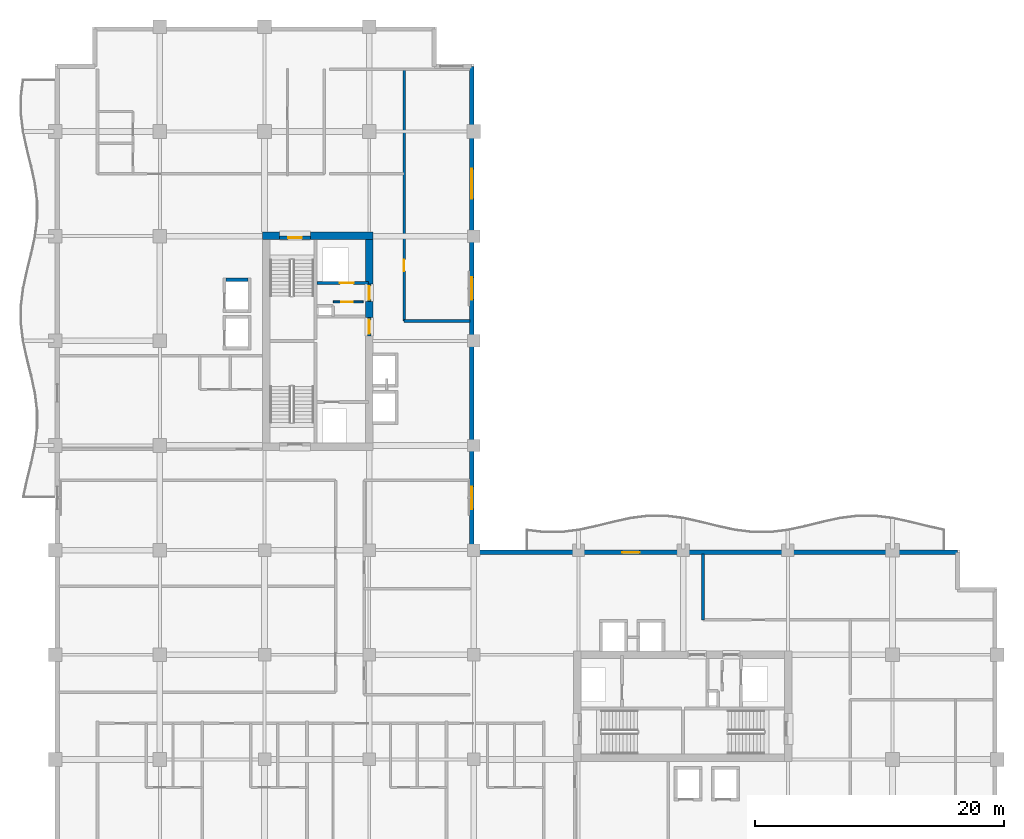
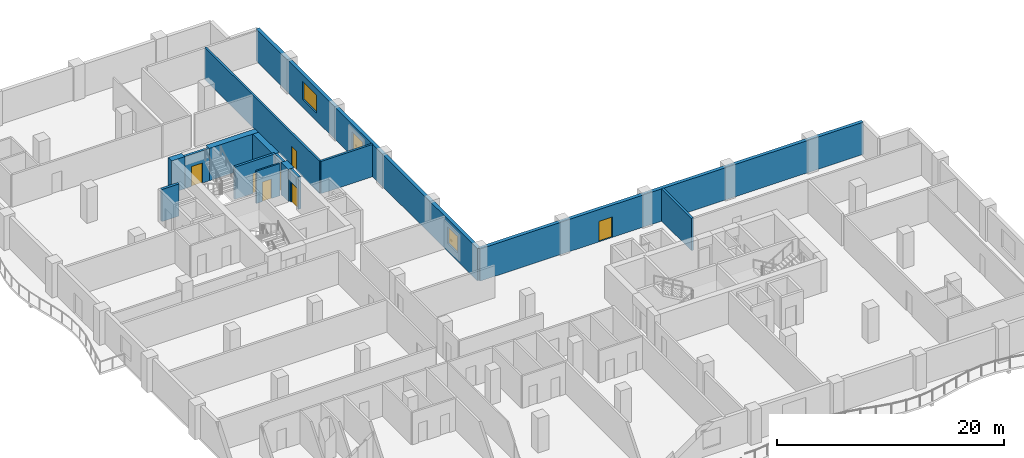
# One storey, part 7 of 14: 15 walls, 7 doors, 3 windows, 10 openings.
"""IFC4 building model written with IfcOpenShell, lengths in metres."""

from ifc_helpers import new_model, si_unit, direction, frame, frame_2d, origin, place, context, subcontext, project, spatial, rectangle, extrude, material, layer, layer_set, type_object, element, fill, save


model = new_model("IFC4")

# Units and contexts
model_context = context("Model", 3, precision=1e-05, world=origin(), true_north=direction((0.0, 1.0)))
body_context = subcontext(model_context, "Body", "Model", "MODEL_VIEW")
ifc_project = project(units=[si_unit("LENGTHUNIT", "METRE"), si_unit("AREAUNIT", "SQUARE_METRE"), si_unit("VOLUMEUNIT", "CUBIC_METRE"), si_unit("PLANEANGLEUNIT", "RADIAN"), si_unit("MASSUNIT", "GRAM", prefix="KILO")], contexts=[model_context])

# Site, building, storey
site_placement = place(None, origin())
site = spatial("IfcSite", under=ifc_project, at=site_placement, CompositionType="ELEMENT")
building_placement = place(site_placement, origin())
building = spatial("IfcBuilding", under=site, at=building_placement, Name="Koriwani Terraces Tower", CompositionType="ELEMENT")
storey_placement = place(building_placement, frame((0.0, 0.0, 208.699951171875)))
storey = spatial("IfcBuildingStorey", under=building, at=storey_placement, Name="L51", CompositionType="ELEMENT", Elevation=208.699951171875)

# Walls
ifc_material_1 = material(Name="Concrete C60/75", Category="concrete")
ifc_layer_1 = layer(ifc_material_1, 0.60009765625, Name="Concrete C60/75")
ifc_layer_set_1 = layer_set([ifc_layer_1], Name="Concrete C60/75")
wall_type_1 = type_object("IfcWallType", Name="WALL_CORE_RC_600", PredefinedType="SHEAR", material=ifc_layer_set_1)
wall_1_placement = place(storey_placement, frame((16.64990234375, 58.85009765625, 0.0), z_axis=(0.0, 0.0, 1.0), x_axis=(1.0, 0.0, 0.0)))
element("IfcWall", 1, at=wall_1_placement, inside=storey, type_object=wall_type_1, Name="L51 West Split Core Shear Wall N1", PredefinedType="SHEAR", context=body_context, shape_type="SweptSolid", body=[
    extrude(rectangle(XDim=1.35009765625, YDim=0.60009765625, at=frame_2d((0.675048828125, 0.0))), origin(), (0.0, 0.0, 1.0), 3.469970703125),
])
wall_2_placement = place(storey_placement, frame((20.5, 58.85009765625, 0.0), z_axis=(0.0, 0.0, 1.0), x_axis=(1.0, 0.0, 0.0)))
element("IfcWall", 2, at=wall_2_placement, inside=storey, type_object=wall_type_1, Name="L51 West Split Core Shear Wall N2", PredefinedType="SHEAR", context=body_context, shape_type="SweptSolid", body=[
    extrude(rectangle(XDim=5.0, YDim=0.60009765625, at=frame_2d((2.5, 0.0))), origin(), (0.0, 0.0, 1.0), 3.469970703125),
])
wall_3_placement = place(storey_placement, frame((25.199951171875, 52.280029296875, 0.0), z_axis=(0.0, 0.0, 1.0), x_axis=(0.0, 1.0, 0.0)))
element("IfcWall", 3, at=wall_3_placement, inside=storey, type_object=wall_type_1, Name="L51 West Split Core Shear Wall E2", PredefinedType="SHEAR", context=body_context, shape_type="SweptSolid", body=[
    extrude(rectangle(XDim=1.27001953125, YDim=0.60009765625, at=frame_2d((0.635009765625, 0.0))), origin(), (0.0, 0.0, 1.0), 3.469970703125),
])
wall_4_placement = place(storey_placement, frame((25.199951171875, 54.949951171875, 0.0), z_axis=(0.0, 0.0, 1.0), x_axis=(0.0, 1.0, 0.0)))
element("IfcWall", 4, at=wall_4_placement, inside=storey, type_object=wall_type_1, Name="L51 West Split Core Shear Wall E3", PredefinedType="SHEAR", context=body_context, shape_type="SweptSolid", body=[
    extrude(rectangle(XDim=3.60009765625, YDim=0.60009765625, at=frame_2d((1.800048828125, 0.0))), origin(), (0.0, 0.0, 1.0), 3.469970703125),
])

# Wall, opening, door
ifc_material_2 = material(Name="Autoclaved Cellular Concrete Blockwork", Category="masonry")
ifc_layer_2 = layer(ifc_material_2, 0.199951171875, Name="Autoclaved Cellular Concrete Blockwork")
ifc_layer_set_2 = layer_set([ifc_layer_2], Name="Autoclaved Cellular Concrete Blockwork")
wall_type_2 = type_object("IfcWallType", Name="WALL_CORRIDOR_200", PredefinedType="PARTITIONING", material=ifc_layer_set_2)
wall_5_placement = place(storey_placement, frame((28.0, 52.0, 0.0), z_axis=(0.0, 0.0, 1.0), x_axis=(0.0, 1.0, 0.0)))
wall_5 = element("IfcWall", 5, at=wall_5_placement, inside=storey, type_object=wall_type_2, Name="L51 Interior Wall WNWT2-W-L51", PredefinedType="PARTITIONING", context=body_context, shape_type="SweptSolid", body=[
    extrude(rectangle(XDim=20.199951171875, YDim=0.199951171875, at=frame_2d((10.10009765625, 0.0))), origin(), (0.0, 0.0, 1.0), 3.469970703125),
])
opening_1_placement = place(wall_5_placement, frame((4.0, 0.0, 0.0)))
opening_1 = element("IfcOpeningElement", 6, at=opening_1_placement, cuts=wall_5, Name="Opening D-06", PredefinedType="OPENING", context=body_context, shape_type="SweptSolid", body=[
    extrude(rectangle(XDim=0.919921875, YDim=2.10009765625, at=frame_2d((0.4599609375, 1.050048828125))), frame((0.0, 0.10986328125, 0.0), z_axis=(0.0, -1.0, 0.0), x_axis=(1.0, 0.0, 0.0)), (0.0, 0.0, 1.0), 0.219970703125),
])
ifc_material_3 = material(Name="Architectural Oak Fire Door", Category="wood")
door_type_1 = type_object("IfcDoorType", Name="DOOR_ROOM_INT_920X2100", OperationType="NOTDEFINED", PredefinedType="DOOR", material=ifc_material_3)
door_1_placement = place(opening_1_placement, origin())
door_1 = element("IfcDoor", 7, at=door_1_placement, inside=storey, type_object=door_type_1, Name="L51 North Court Lounge Door", OperationType="SINGLE_SWING_RIGHT", OverallHeight=2.10009765625, OverallWidth=0.919921875, PredefinedType="DOOR", context=body_context, shape_type="SweptSolid", body=[
    extrude(rectangle(XDim=0.919921875, YDim=2.10009765625, at=frame_2d((0.4599609375, 1.050048828125))), frame((0.0, 0.02490234375, 0.0), z_axis=(0.0, -1.0, 0.0), x_axis=(1.0, 0.0, 0.0)), (0.0, 0.0, 1.0), 0.050048828125),
])
fill(opening_1, door_1)

# Walls
ifc_layer_3 = layer(ifc_material_2, 0.219970703125, Name="Autoclaved Cellular Concrete Blockwork")
ifc_layer_set_3 = layer_set([ifc_layer_3], Name="Autoclaved Cellular Concrete Blockwork")
wall_type_3 = type_object("IfcWallType", Name="WALL_DEMISING_220", PredefinedType="PARTITIONING", material=ifc_layer_set_3)
for number, where, z_axis, x_axis, name in (
    (8, (28.0, 52.0, 0.0), (0.0, 0.0, 1.0), (1.0, 0.0, 0.0), "L51 Interior Wall WNWT2-S-L51"),
    (9, (52.0, 28.0, 0.0), (0.0, 0.0, 1.0), (0.0, 1.0, 0.0), "L51 Interior Wall WSET2-W-L51"),
):
    element("IfcWall", number, at=place(storey_placement, frame(where, z_axis=z_axis, x_axis=x_axis)), inside=storey, type_object=wall_type_3, Name=name, PredefinedType="PARTITIONING", context=body_context, shape_type="SweptSolid", body=[
        extrude(rectangle(XDim=5.300048828125, YDim=0.219970703125, at=frame_2d((2.64990234375, 0.0))), origin(), (0.0, 0.0, 1.0), 3.469970703125),
    ])

# Wall, openings, windows
ifc_material_4 = material(Name="Concrete C50/60", Category="concrete")
ifc_layer_4 = layer(ifc_material_4, 0.35009765625, Name="Concrete C50/60")
ifc_layer_set_4 = layer_set([ifc_layer_4], Name="Concrete C50/60")
wall_type_4 = type_object("IfcWallType", Name="WALL_EXT_BRUTALIST_350", PredefinedType="STANDARD", material=ifc_layer_set_4)
wall_6_placement = place(storey_placement, frame((33.425048828125, 72.425048828125, 0.0), z_axis=(0.0, 0.0, 1.0), x_axis=(0.0, -1.0, 0.0)))
wall_6 = element("IfcWall", 10, at=wall_6_placement, inside=storey, type_object=wall_type_4, Name="L51 Fair-Faced Brutalist Exterior Wall (NW_IN)", PredefinedType="STANDARD", context=body_context, shape_type="SweptSolid", body=[
    extrude(rectangle(XDim=39.0, YDim=0.35009765625, at=frame_2d((19.5, 0.0))), origin(), (0.0, 0.0, 1.0), 3.469970703125),
])
opening_2_placement = place(wall_6_placement, frame((33.72509765625, 0.0, 0.85009765625)))
opening_2 = element("IfcOpeningElement", 11, at=opening_2_placement, cuts=wall_6, Name="Opening W-04", PredefinedType="OPENING", context=body_context, shape_type="SweptSolid", body=[
    extrude(rectangle(XDim=1.800048828125, YDim=1.800048828125, at=frame_2d((0.89990234375, 0.89990234375))), frame((0.0, 0.18505859375, 0.0), z_axis=(0.0, -1.0, 0.0), x_axis=(1.0, 0.0, 0.0)), (0.0, 0.0, 1.0), 0.3701171875),
])
opening_3_placement = place(wall_6_placement, frame((16.925048828125, 0.0, 0.85009765625)))
opening_3 = element("IfcOpeningElement", 12, at=opening_3_placement, cuts=wall_6, Name="Opening W-04", PredefinedType="OPENING", context=body_context, shape_type="SweptSolid", body=[
    extrude(rectangle(XDim=1.800048828125, YDim=1.800048828125, at=frame_2d((0.89990234375, 0.89990234375))), frame((0.0, 0.18505859375, 0.0), z_axis=(0.0, -1.0, 0.0), x_axis=(1.0, 0.0, 0.0)), (0.0, 0.0, 1.0), 0.3701171875),
])
opening_4_placement = place(wall_6_placement, frame((8.22509765625, 0.0, 0.85009765625)))
opening_4 = element("IfcOpeningElement", 13, at=opening_4_placement, cuts=wall_6, Name="Opening W-03", PredefinedType="OPENING", context=body_context, shape_type="SweptSolid", body=[
    extrude(rectangle(XDim=2.39990234375, YDim=1.949951171875, at=frame_2d((1.199951171875, 0.97509765625))), frame((0.0, 0.18505859375, 0.0), z_axis=(0.0, -1.0, 0.0), x_axis=(1.0, 0.0, 0.0)), (0.0, 0.0, 1.0), 0.3701171875),
])
ifc_material_5 = material(Name="Tempered Laminated Low-E Glass", Category="glass")
window_type_1 = type_object("IfcWindowType", Name="WIN_RES_BED_1800X1800", PartitioningType="DOUBLE_PANEL_VERTICAL", PredefinedType="WINDOW", material=ifc_material_5)
window_1_placement = place(opening_2_placement, origin())
window_1 = element("IfcWindow", 14, at=window_1_placement, inside=storey, type_object=window_type_1, Name="L51 Exterior Window (NW_IN-2)", OverallHeight=1.800048828125, OverallWidth=1.800048828125, PartitioningType="SINGLE_PANEL", PredefinedType="WINDOW", context=body_context, shape_type="SweptSolid", body=[
    extrude(rectangle(XDim=1.800048828125, YDim=1.800048828125, at=frame_2d((0.89990234375, 0.89990234375))), frame((0.0, 0.030029296875, 0.0), z_axis=(0.0, -1.0, 0.0), x_axis=(1.0, 0.0, 0.0)), (0.0, 0.0, 1.0), 0.06005859375),
])
fill(opening_2, window_1)
window_2_placement = place(opening_3_placement, origin())
window_2 = element("IfcWindow", 15, at=window_2_placement, inside=storey, type_object=window_type_1, Name="L51 Exterior Window (NW_IN-8)", OverallHeight=1.800048828125, OverallWidth=1.800048828125, PartitioningType="SINGLE_PANEL", PredefinedType="WINDOW", context=body_context, shape_type="SweptSolid", body=[
    extrude(rectangle(XDim=1.800048828125, YDim=1.800048828125, at=frame_2d((0.89990234375, 0.89990234375))), frame((0.0, 0.030029296875, 0.0), z_axis=(0.0, -1.0, 0.0), x_axis=(1.0, 0.0, 0.0)), (0.0, 0.0, 1.0), 0.06005859375),
])
fill(opening_3, window_2)
window_type_2 = type_object("IfcWindowType", Name="WIN_RES_LIVING_2400X1950", PartitioningType="DOUBLE_PANEL_VERTICAL", PredefinedType="WINDOW", material=ifc_material_5)
window_3_placement = place(opening_4_placement, origin())
window_3 = element("IfcWindow", 16, at=window_3_placement, inside=storey, type_object=window_type_2, Name="L51 Exterior Window (NW_IN-11)", OverallHeight=1.949951171875, OverallWidth=2.39990234375, PartitioningType="SINGLE_PANEL", PredefinedType="WINDOW", context=body_context, shape_type="SweptSolid", body=[
    extrude(rectangle(XDim=2.39990234375, YDim=1.949951171875, at=frame_2d((1.199951171875, 0.97509765625))), frame((0.0, 0.030029296875, 0.0), z_axis=(0.0, -1.0, 0.0), x_axis=(1.0, 0.0, 0.0)), (0.0, 0.0, 1.0), 0.06005859375),
])
fill(opening_4, window_3)

# Wall, opening, door
wall_7_placement = place(storey_placement, frame((33.425048828125, 33.425048828125, 0.0), z_axis=(0.0, 0.0, 1.0), x_axis=(1.0, 0.0, 0.0)))
wall_7 = element("IfcWall", 17, at=wall_7_placement, inside=storey, type_object=wall_type_4, Name="L51 Fair-Faced Brutalist Exterior Wall (NE)", PredefinedType="STANDARD", context=body_context, shape_type="SweptSolid", body=[
    extrude(rectangle(XDim=39.0, YDim=0.35009765625, at=frame_2d((19.5, 0.0))), origin(), (0.0, 0.0, 1.0), 3.469970703125),
])
opening_5_placement = place(wall_7_placement, frame((12.074951171875, 0.0, 0.0)))
opening_5 = element("IfcOpeningElement", 18, at=opening_5_placement, cuts=wall_7, Name="Opening D-09", PredefinedType="OPENING", context=body_context, shape_type="SweptSolid", body=[
    extrude(rectangle(XDim=1.39990234375, YDim=2.199951171875, at=frame_2d((0.699951171875, 1.10009765625))), frame((0.0, 0.18505859375, 0.0), z_axis=(0.0, -1.0, 0.0), x_axis=(1.0, 0.0, 0.0)), (0.0, 0.0, 1.0), 0.3701171875),
])
ifc_material_6 = material(Name="Anodised Bronze Aluminium", Category="aluminium")
door_type_2 = type_object("IfcDoorType", Name="DOOR_BALCONY_GLAZED_1400X2200", OperationType="NOTDEFINED", PredefinedType="DOOR", material=ifc_material_6)
door_2_placement = place(opening_5_placement, origin())
door_2 = element("IfcDoor", 19, at=door_2_placement, inside=storey, type_object=door_type_2, Name="L51 Inner Court Balcony Glazed Door", OperationType="SINGLE_SWING_LEFT", OverallHeight=2.199951171875, OverallWidth=1.39990234375, PredefinedType="DOOR", context=body_context, shape_type="SweptSolid", body=[
    extrude(rectangle(XDim=1.39990234375, YDim=2.199951171875, at=frame_2d((0.699951171875, 1.10009765625))), frame((0.0, 0.02490234375, 0.0), z_axis=(0.0, -1.0, 0.0), x_axis=(1.0, 0.0, 0.0)), (0.0, 0.0, 1.0), 0.050048828125),
])
fill(opening_5, door_2)

ifc_material_7 = material(Name="Concrete C40/50", Category="concrete")
ifc_layer_5 = layer(ifc_material_7, 0.25, Name="Concrete C40/50")
ifc_layer_set_5 = layer_set([ifc_layer_5], Name="Concrete C40/50")
wall_type_5 = type_object("IfcWallType", Name="WALL_SHAFT_RATED_250", PredefinedType="SOLIDWALL", material=ifc_layer_set_5)
wall_8_placement = place(storey_placement, frame((18.0, 58.675048828125, 0.0), z_axis=(0.0, 0.0, 1.0), x_axis=(1.0, 0.0, 0.0)))
wall_8 = element("IfcWall", 20, at=wall_8_placement, inside=storey, type_object=wall_type_5, Name="L51 Interior Wall WIN-CW-L51-STN", PredefinedType="SOLIDWALL", context=body_context, shape_type="SweptSolid", body=[
    extrude(rectangle(XDim=2.5, YDim=0.25, at=frame_2d((1.25, 0.0))), origin(), (0.0, 0.0, 1.0), 3.469970703125),
])
opening_6_placement = place(wall_8_placement, frame((0.699951171875, 0.0, 0.0)))
opening_6 = element("IfcOpeningElement", 21, at=opening_6_placement, cuts=wall_8, Name="Opening D-03", PredefinedType="OPENING", context=body_context, shape_type="SweptSolid", body=[
    extrude(rectangle(XDim=1.10009765625, YDim=2.14990234375, at=frame_2d((0.550048828125, 1.074951171875))), frame((0.0, 0.135009765625, 0.0), z_axis=(0.0, -1.0, 0.0), x_axis=(1.0, 0.0, 0.0)), (0.0, 0.0, 1.0), 0.27001953125),
])
ifc_material_8 = material(Name="Steel ASTM A572 Grade 50", Category="steel")
door_type_3 = type_object("IfcDoorType", Name="DOOR_STAIR_FIRE_1100X2150", OperationType="NOTDEFINED", PredefinedType="DOOR", material=ifc_material_8)
door_3_placement = place(opening_6_placement, origin())
door_3 = element("IfcDoor", 22, at=door_3_placement, inside=storey, type_object=door_type_3, Name="L51 Exit Stair ST-W2 Door", OperationType="SINGLE_SWING_RIGHT", OverallHeight=2.14990234375, OverallWidth=1.10009765625, PredefinedType="DOOR", context=body_context, shape_type="SweptSolid", body=[
    extrude(rectangle(XDim=1.10009765625, YDim=2.14990234375, at=frame_2d((0.550048828125, 1.074951171875))), frame((0.0, 0.02490234375, 0.0), z_axis=(0.0, -1.0, 0.0), x_axis=(1.0, 0.0, 0.0)), (0.0, 0.0, 1.0), 0.050048828125),
])
fill(opening_6, door_3)

wall_9_placement = place(storey_placement, frame((25.199951171875, 50.800048828125, 0.0), z_axis=(0.0, 0.0, 1.0), x_axis=(0.0, 1.0, 0.0)))
wall_9 = element("IfcWall", 23, at=wall_9_placement, inside=storey, type_object=wall_type_5, Name="L51 Interior Wall WIN-CW-L51-EP", PredefinedType="SOLIDWALL", context=body_context, shape_type="SweptSolid", body=[
    extrude(rectangle(XDim=1.47998046875, YDim=0.25, at=frame_2d((0.739990234375, 0.0))), origin(), (0.0, 0.0, 1.0), 3.469970703125),
])
opening_7_placement = place(wall_9_placement, frame((0.179931640625, 0.0, 0.0)))
opening_7 = element("IfcOpeningElement", 24, at=opening_7_placement, cuts=wall_9, Name="Opening D-03", PredefinedType="OPENING", context=body_context, shape_type="SweptSolid", body=[
    extrude(rectangle(XDim=1.10009765625, YDim=2.14990234375, at=frame_2d((0.550048828125, 1.074951171875))), frame((0.0, 0.135009765625, 0.0), z_axis=(0.0, -1.0, 0.0), x_axis=(1.0, 0.0, 0.0)), (0.0, 0.0, 1.0), 0.27001953125),
])
door_4_placement = place(opening_7_placement, origin())
door_4 = element("IfcDoor", 25, at=door_4_placement, inside=storey, type_object=door_type_3, Name="L51 West Firefighting Lobby Door", OperationType="SINGLE_SWING_LEFT", OverallHeight=2.14990234375, OverallWidth=1.10009765625, PredefinedType="DOOR", context=body_context, shape_type="SweptSolid", body=[
    extrude(rectangle(XDim=1.10009765625, YDim=2.14990234375, at=frame_2d((0.550048828125, 1.074951171875))), frame((0.0, 0.02490234375, 0.0), z_axis=(0.0, -1.0, 0.0), x_axis=(1.0, 0.0, 0.0)), (0.0, 0.0, 1.0), 0.050048828125),
])
fill(opening_7, door_4)

wall_10_placement = place(storey_placement, frame((21.0, 55.050048828125, 0.0), z_axis=(0.0, 0.0, 1.0), x_axis=(1.0, 0.0, 0.0)))
wall_10 = element("IfcWall", 26, at=wall_10_placement, inside=storey, type_object=wall_type_5, Name="L51 Interior Wall WIN-CW-L51-SE", PredefinedType="SOLIDWALL", context=body_context, shape_type="SweptSolid", body=[
    extrude(rectangle(XDim=4.14990234375, YDim=0.25, at=frame_2d((2.074951171875, 0.0))), origin(), (0.0, 0.0, 1.0), 3.469970703125),
])
opening_8_placement = place(wall_10_placement, frame((1.85009765625, 0.0, 0.0)))
opening_8 = element("IfcOpeningElement", 27, at=opening_8_placement, cuts=wall_10, Name="Opening LD-01", PredefinedType="OPENING", context=body_context, shape_type="SweptSolid", body=[
    extrude(rectangle(XDim=1.10009765625, YDim=2.14990234375, at=frame_2d((0.550048828125, 1.074951171875))), frame((0.0, 0.135009765625, 0.0), z_axis=(0.0, -1.0, 0.0), x_axis=(1.0, 0.0, 0.0)), (0.0, 0.0, 1.0), 0.27001953125),
])
door_type_4 = type_object("IfcDoorType", Name="DOOR_LIFT_LANDING_1100X2200", OperationType="NOTDEFINED", PredefinedType="DOOR", material=ifc_material_8)
door_5_placement = place(opening_8_placement, origin())
door_5 = element("IfcDoor", 28, at=door_5_placement, inside=storey, type_object=door_type_4, Name="L51 Goods Lift SE-01 Landing Door", OperationType="SLIDING_TO_LEFT", OverallHeight=2.14990234375, OverallWidth=1.10009765625, PredefinedType="DOOR", context=body_context, shape_type="SweptSolid", body=[
    extrude(rectangle(XDim=1.10009765625, YDim=2.14990234375, at=frame_2d((0.550048828125, 1.074951171875))), frame((0.0, 0.02490234375, 0.0), z_axis=(0.0, -1.0, 0.0), x_axis=(1.0, 0.0, 0.0)), (0.0, 0.0, 1.0), 0.050048828125),
])
fill(opening_8, door_5)

wall_11_placement = place(storey_placement, frame((25.199951171875, 53.550048828125, 0.0), z_axis=(0.0, 0.0, 1.0), x_axis=(0.0, 1.0, 0.0)))
wall_11 = element("IfcWall", 29, at=wall_11_placement, inside=storey, type_object=wall_type_5, Name="L51 Interior Wall WIN-CW-L51-EP2", PredefinedType="SOLIDWALL", context=body_context, shape_type="SweptSolid", body=[
    extrude(rectangle(XDim=1.39990234375, YDim=0.25, at=frame_2d((0.699951171875, 0.0))), origin(), (0.0, 0.0, 1.0), 3.469970703125),
])
opening_9_placement = place(wall_11_placement, frame((0.14990234375, 0.0, 0.0)))
opening_9 = element("IfcOpeningElement", 30, at=opening_9_placement, cuts=wall_11, Name="Opening D-03", PredefinedType="OPENING", context=body_context, shape_type="SweptSolid", body=[
    extrude(rectangle(XDim=1.10009765625, YDim=2.14990234375, at=frame_2d((0.550048828125, 1.074951171875))), frame((0.0, 0.135009765625, 0.0), z_axis=(0.0, -1.0, 0.0), x_axis=(1.0, 0.0, 0.0)), (0.0, 0.0, 1.0), 0.27001953125),
])
door_6_placement = place(opening_9_placement, origin())
door_6 = element("IfcDoor", 31, at=door_6_placement, inside=storey, type_object=door_type_3, Name="L51 West Goods Lift Lobby Door", OperationType="SINGLE_SWING_RIGHT", OverallHeight=2.14990234375, OverallWidth=1.10009765625, PredefinedType="DOOR", context=body_context, shape_type="SweptSolid", body=[
    extrude(rectangle(XDim=1.10009765625, YDim=2.14990234375, at=frame_2d((0.550048828125, 1.074951171875))), frame((0.0, 0.02490234375, 0.0), z_axis=(0.0, -1.0, 0.0), x_axis=(1.0, 0.0, 0.0)), (0.0, 0.0, 1.0), 0.050048828125),
])
fill(opening_9, door_6)

# Wall
wall_12_placement = place(storey_placement, frame((13.72509765625, 55.300048828125, 0.0), z_axis=(0.0, 0.0, 1.0), x_axis=(1.0, 0.0, 0.0)))
element("IfcWall", 32, at=wall_12_placement, inside=storey, type_object=wall_type_5, Name="L51 Interior Wall WIN-LF-PE-M2-L51-N", PredefinedType="SOLIDWALL", context=body_context, shape_type="SweptSolid", body=[
    extrude(rectangle(XDim=1.75, YDim=0.25, at=frame_2d((0.875, 0.0))), origin(), (0.0, 0.0, 1.0), 3.469970703125),
])

# Wall, opening, door
ifc_material_9 = material(Name="Fire-Rated Acoustic Gypsum Partition", Category="masonry")
ifc_layer_6 = layer(ifc_material_9, 0.159912109375, Name="Fire-Rated Acoustic Gypsum Partition")
ifc_layer_set_6 = layer_set([ifc_layer_6], Name="Fire-Rated Acoustic Gypsum Partition")
wall_type_6 = type_object("IfcWallType", Name="WALL_SUITE_160", PredefinedType="PARTITIONING", material=ifc_layer_set_6)
wall_13_placement = place(storey_placement, frame((22.320068359375, 53.52001953125, 0.0), z_axis=(0.0, 0.0, 1.0), x_axis=(1.0, 0.0, 0.0)))
wall_13 = element("IfcWall", 33, at=wall_13_placement, inside=storey, type_object=wall_type_6, Name="L51 Interior Wall WIN-CW-L51-SV0", PredefinedType="PARTITIONING", context=body_context, shape_type="SweptSolid", body=[
    extrude(rectangle(XDim=2.39990234375, YDim=0.159912109375, at=frame_2d((1.199951171875, 0.0))), origin(), (0.0, 0.0, 1.0), 3.469970703125),
])
opening_10_placement = place(wall_13_placement, frame((0.64990234375, 0.0, 0.0)))
opening_10 = element("IfcOpeningElement", 34, at=opening_10_placement, cuts=wall_13, Name="Opening D-07", PredefinedType="OPENING", context=body_context, shape_type="SweptSolid", body=[
    extrude(rectangle(XDim=0.89990234375, YDim=2.10009765625, at=frame_2d((0.449951171875, 1.050048828125))), frame((0.0, 0.08984375, 0.0), z_axis=(0.0, -1.0, 0.0), x_axis=(1.0, 0.0, 0.0)), (0.0, 0.0, 1.0), 0.179931640625),
])
door_type_5 = type_object("IfcDoorType", Name="DOOR_BATH_INT_900X2100", OperationType="NOTDEFINED", PredefinedType="DOOR", material=ifc_material_3)
door_7_placement = place(opening_10_placement, origin())
door_7 = element("IfcDoor", 35, at=door_7_placement, inside=storey, type_object=door_type_5, Name="L51 West Electrical Switch Room Door", OperationType="SINGLE_SWING_LEFT", OverallHeight=2.10009765625, OverallWidth=0.89990234375, PredefinedType="DOOR", context=body_context, shape_type="SweptSolid", body=[
    extrude(rectangle(XDim=0.89990234375, YDim=2.10009765625, at=frame_2d((0.449951171875, 1.050048828125))), frame((0.0, 0.02490234375, 0.0), z_axis=(0.0, -1.0, 0.0), x_axis=(1.0, 0.0, 0.0)), (0.0, 0.0, 1.0), 0.050048828125),
])
fill(opening_10, door_7)

save(model, "model.ifc")
